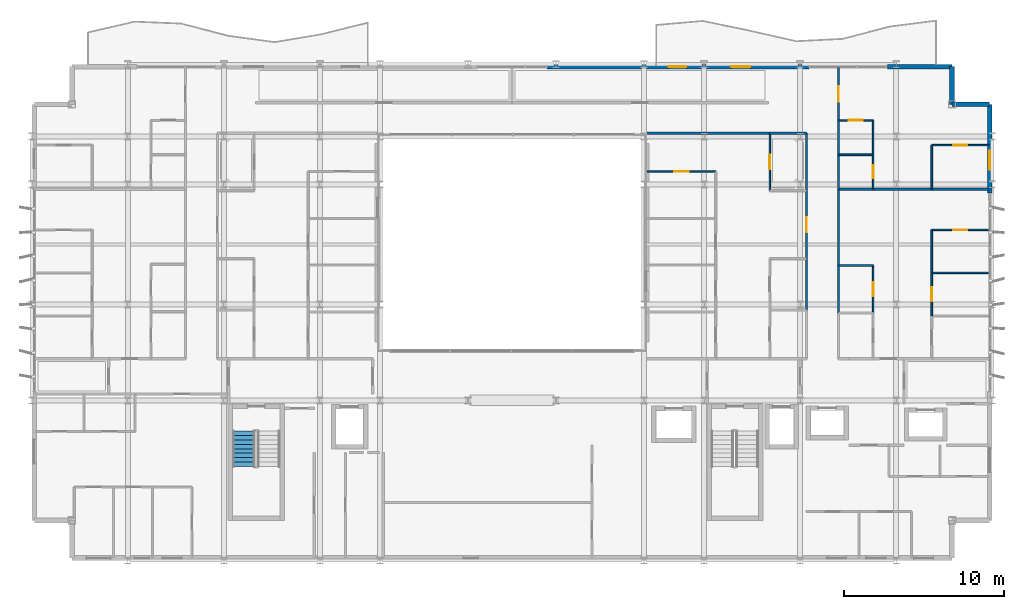
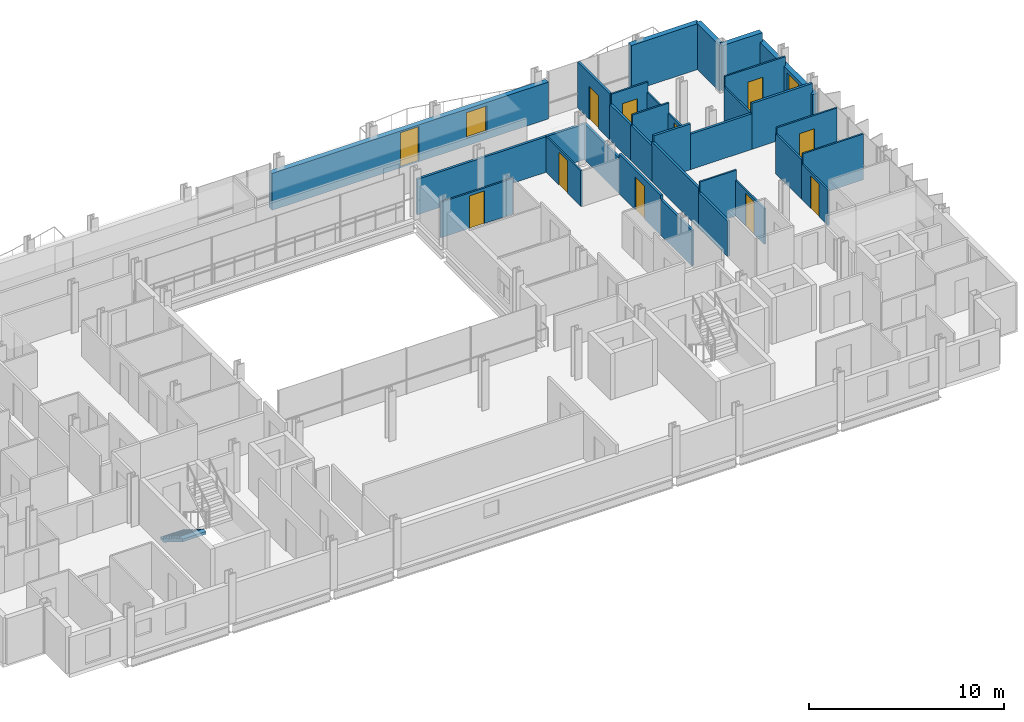
# One storey, part 32 of 38: 32 walls, 11 doors, 2 windows, 1 stair flight, 13 openings, 1 element without a shape of its own.
"""IFC4 building model written with IfcOpenShell, lengths in metres."""

from ifc_helpers import new_model, si_unit, direction, frame, frame_2d, origin, place, context, subcontext, project, spatial, polyline, rectangle, outline, extrude, material, layer, layer_set, type_object, element, fill, aggregate, save


model = new_model("IFC4")

# Units and contexts
model_context = context("Model", 3, precision=1e-05, world=origin(), true_north=direction((0.0, 1.0)))
body_context = subcontext(model_context, "Body", "Model", "MODEL_VIEW")
ifc_project = project(units=[si_unit("LENGTHUNIT", "METRE"), si_unit("AREAUNIT", "SQUARE_METRE"), si_unit("VOLUMEUNIT", "CUBIC_METRE"), si_unit("PLANEANGLEUNIT", "RADIAN"), si_unit("MASSUNIT", "GRAM", prefix="KILO")], contexts=[model_context])

# Site, building, storey
site_placement = place(None, origin())
site = spatial("IfcSite", under=ifc_project, at=site_placement, CompositionType="ELEMENT")
building_placement = place(site_placement, origin())
building = spatial("IfcBuilding", under=site, at=building_placement, Name="Brevholm Reach", CompositionType="ELEMENT")
storey_placement = place(building_placement, frame((0.0, 0.0, 71.39990234375)))
storey = spatial("IfcBuildingStorey", under=building, at=storey_placement, Name="L20", CompositionType="ELEMENT", Elevation=71.39990234375)

# Walls
ifc_material_1 = material(Name="Concrete C40/50", Category="concrete")
ifc_layer_1 = layer(ifc_material_1, 0.300048828125)
ifc_layer_set_1 = layer_set([ifc_layer_1], Name="Concrete C40/50")
wall_type_1 = type_object("IfcWallType", Name="WAL-EXT-300", PredefinedType="STANDARD", material=ifc_layer_set_1)
for number, where, z_axis, x_axis, name in (
    (1, (59.85009765625, 28.5, 0.0), (0.0, 0.0, 1.0), (-1.0, 0.0, 0.0), "L20 Facade Wall WAL-L20-CNE1"),
    (2, (57.5, 28.5, 0.0), (0.0, 0.0, 1.0), (0.0, 1.0, 0.0), "L20 Facade Wall WAL-L20-CNE2"),
):
    element("IfcWall", number, at=place(storey_placement, frame(where, z_axis=z_axis, x_axis=x_axis)), inside=storey, type_object=wall_type_1, Name=name, PredefinedType="STANDARD", context=body_context, shape_type="SweptSolid", body=[
        extrude(rectangle(XDim=2.35009765625, YDim=0.300048828125, at=frame_2d((1.175048828125, 0.0))), origin(), (0.0, 0.0, 1.0), 2.8701171875),
    ])

# Wall, opening, window
wall_1_placement = place(storey_placement, frame((59.85009765625, 22.949951171875, 0.0), z_axis=(0.0, 0.0, 1.0), x_axis=(0.0, 1.0, 0.0)))
wall_1 = element("IfcWall", 3, at=wall_1_placement, inside=storey, type_object=wall_type_1, Name="L20 Facade Wall WAL-L20-E-N", PredefinedType="STANDARD", context=body_context, shape_type="SweptSolid", body=[
    extrude(rectangle(XDim=5.550048828125, YDim=0.300048828125, at=frame_2d((2.77490234375, 0.0))), origin(), (0.0, 0.0, 1.0), 2.3056640625),
])
opening_1_placement = place(wall_1_placement, frame((1.449951171875, 0.0, 0.485107421875)))
opening_1 = element("IfcOpeningElement", 4, at=opening_1_placement, cuts=wall_1, Name="Opening WN-08", PredefinedType="OPENING", context=body_context, shape_type="SweptSolid", body=[
    extrude(rectangle(XDim=1.199951171875, YDim=1.60009765625, at=frame_2d((0.60009765625, 0.800048828125))), frame((0.0, 0.159912109375, 0.0), z_axis=(0.0, -1.0, 0.0), x_axis=(1.0, 0.0, 0.0)), (0.0, 0.0, 1.0), 0.320068359375),
])
ifc_material_2 = material(Name="Dark Anodised Aluminium and Solar-Control IGU Glass", Category="aluminium")
window_type = type_object("IfcWindowType", Name="WIN-RES-1200", PartitioningType="SINGLE_PANEL", PredefinedType="WINDOW", material=ifc_material_2)
window_1_placement = place(opening_1_placement, origin())
window_1 = element("IfcWindow", 5, at=window_1_placement, inside=storey, type_object=window_type, Name="L20 Window WIN-L20-EN-1", OverallHeight=1.60009765625, OverallWidth=1.199951171875, PartitioningType="SINGLE_PANEL", PredefinedType="WINDOW", context=body_context, shape_type="SweptSolid", body=[
    extrude(rectangle(XDim=1.199951171875, YDim=1.60009765625, at=frame_2d((0.60009765625, 0.800048828125))), frame((0.0, 0.030029296875, 0.0), z_axis=(0.0, -1.0, 0.0), x_axis=(1.0, 0.0, 0.0)), (0.0, 0.0, 1.0), 0.06005859375),
])
fill(opening_1, window_1)

# Wall
wall_2_placement = place(storey_placement, frame((53.449951171875, 30.85009765625, 0.0), z_axis=(0.0, 0.0, 1.0), x_axis=(1.0, 0.0, 0.0)))
element("IfcWall", 6, at=wall_2_placement, inside=storey, type_object=wall_type_1, Name="L20 Facade Wall WAL-L20-NP-E0", PredefinedType="STANDARD", context=body_context, shape_type="SweptSolid", body=[
    extrude(rectangle(XDim=4.050048828125, YDim=0.300048828125, at=frame_2d((2.02490234375, 0.0))), origin(), (0.0, 0.0, 1.0), 2.8701171875),
])

# Wall, openings, door, window
wall_3_placement = place(storey_placement, frame((32.199951171875, 30.85009765625, 0.0), z_axis=(0.0, 0.0, 1.0), x_axis=(1.0, 0.0, 0.0)))
wall_3 = element("IfcWall", 7, at=wall_3_placement, inside=storey, type_object=wall_type_1, Name="L20 Facade Wall WAL-L20-NP-ER", PredefinedType="STANDARD", context=body_context, shape_type="SweptSolid", body=[
    extrude(rectangle(XDim=16.35009765625, YDim=0.300048828125, at=frame_2d((8.175048828125, 0.0))), origin(), (0.0, 0.0, 1.0), 2.3056640625),
])
opening_2_placement = place(wall_3_placement, frame((7.60009765625, 0.0, 0.0)))
opening_2 = element("IfcOpeningElement", 8, at=opening_2_placement, cuts=wall_3, Name="Opening BD-01", PredefinedType="OPENING", context=body_context, shape_type="SweptSolid", body=[
    extrude(rectangle(XDim=1.10009765625, YDim=2.199951171875, at=frame_2d((0.550048828125, 1.10009765625))), frame((0.0, 0.159912109375, 0.0), z_axis=(0.0, -1.0, 0.0), x_axis=(1.0, 0.0, 0.0)), (0.0, 0.0, 1.0), 0.320068359375),
])
opening_3_placement = place(wall_3_placement, frame((11.5, 0.0, 0.485107421875)))
opening_3 = element("IfcOpeningElement", 9, at=opening_3_placement, cuts=wall_3, Name="Opening WN-08", PredefinedType="OPENING", context=body_context, shape_type="SweptSolid", body=[
    extrude(rectangle(XDim=1.199951171875, YDim=1.60009765625, at=frame_2d((0.60009765625, 0.800048828125))), frame((0.0, 0.159912109375, 0.0), z_axis=(0.0, -1.0, 0.0), x_axis=(1.0, 0.0, 0.0)), (0.0, 0.0, 1.0), 0.320068359375),
])
ifc_material_3 = material(Name="Dark Anodised Aluminium and Triple-Glazed Glass", Category="aluminium")
door_type_1 = type_object("IfcDoorType", Name="DOR-BALC-1100", OperationType="NOTDEFINED", PredefinedType="DOOR", material=ifc_material_3)
door_1_placement = place(opening_2_placement, origin())
door_1 = element("IfcDoor", 10, at=door_1_placement, inside=storey, type_object=door_type_1, Name="L20 Exterior Door DOR-L20-BL-NE", OperationType="SINGLE_SWING_RIGHT", OverallHeight=2.199951171875, OverallWidth=1.10009765625, PredefinedType="DOOR", context=body_context, shape_type="SweptSolid", body=[
    extrude(rectangle(XDim=1.10009765625, YDim=2.199951171875, at=frame_2d((0.550048828125, 1.10009765625))), frame((0.0, 0.02490234375, 0.0), z_axis=(0.0, -1.0, 0.0), x_axis=(1.0, 0.0, 0.0)), (0.0, 0.0, 1.0), 0.050048828125),
])
fill(opening_2, door_1)
window_2_placement = place(opening_3_placement, origin())
window_2 = element("IfcWindow", 11, at=window_2_placement, inside=storey, type_object=window_type, Name="L20 Window WIN-L20-NP-ER1", OverallHeight=1.60009765625, OverallWidth=1.199951171875, PartitioningType="SINGLE_PANEL", PredefinedType="WINDOW", context=body_context, shape_type="SweptSolid", body=[
    extrude(rectangle(XDim=1.199951171875, YDim=1.60009765625, at=frame_2d((0.60009765625, 0.800048828125))), frame((0.0, 0.030029296875, 0.0), z_axis=(0.0, -1.0, 0.0), x_axis=(1.0, 0.0, 0.0)), (0.0, 0.0, 1.0), 0.06005859375),
])
fill(opening_3, window_2)

# Wall, opening, door
ifc_material_4 = material(Name="Moisture-Resistant Acoustic Gypsum Stud Partition 100 mm", Category="gypsum")
ifc_layer_2 = layer(ifc_material_4, 0.10009765625)
ifc_layer_set_2 = layer_set([ifc_layer_2], Name="Moisture-Resistant Acoustic Gypsum Stud Partition 100 mm")
wall_type_2 = type_object("IfcWallType", Name="WAL-PRT-100", PredefinedType="PARTITIONING", material=ifc_layer_set_2)
wall_4_placement = place(storey_placement, frame((46.112060546875, 23.10009765625, 0.0), z_axis=(0.0, 0.0, 1.0), x_axis=(0.0, 1.0, 0.0)))
wall_4 = element("IfcWall", 12, at=wall_4_placement, inside=storey, type_object=wall_type_2, Name="L20 Internal Partition 125", PredefinedType="PARTITIONING", context=body_context, shape_type="SweptSolid", body=[
    extrude(rectangle(XDim=3.595947265625, YDim=0.10009765625, at=frame_2d((1.7978515625, 0.0))), origin(), (0.0, 0.0, 1.0), 2.224853515625),
])
opening_4_placement = place(wall_4_placement, frame((1.35791015625, 0.0, 0.0)))
opening_4 = element("IfcOpeningElement", 13, at=opening_4_placement, cuts=wall_4, Name="Opening ID-01", PredefinedType="OPENING", context=body_context, shape_type="SweptSolid", body=[
    extrude(rectangle(XDim=0.8798828125, YDim=2.0400390625, at=frame_2d((0.43994140625, 1.02001953125))), frame((0.0, 0.06005859375, 0.0), z_axis=(0.0, -1.0, 0.0), x_axis=(1.0, 0.0, 0.0)), (0.0, 0.0, 1.0), 0.1201171875),
])
ifc_material_5 = material(Name="Lacquered Ash Solid-Core Acoustic Internal Door", Category="timber")
door_type_2 = type_object("IfcDoorType", Name="DOR-INT-880", OperationType="NOTDEFINED", PredefinedType="DOOR", material=ifc_material_5)
door_2_placement = place(opening_4_placement, origin())
door_2 = element("IfcDoor", 14, at=door_2_placement, inside=storey, type_object=door_type_2, Name="L20 Internal Door 047", OperationType="SINGLE_SWING_RIGHT", OverallHeight=2.0400390625, OverallWidth=0.8798828125, PredefinedType="DOOR", context=body_context, shape_type="SweptSolid", body=[
    extrude(rectangle(XDim=0.8798828125, YDim=2.0400390625, at=frame_2d((0.43994140625, 1.02001953125))), frame((0.0, 0.02490234375, 0.0), z_axis=(0.0, -1.0, 0.0), x_axis=(1.0, 0.0, 0.0)), (0.0, 0.0, 1.0), 0.050048828125),
])
fill(opening_4, door_2)

wall_5_placement = place(storey_placement, frame((38.449951171875, 24.300048828125, 0.0), z_axis=(0.0, 0.0, 1.0), x_axis=(1.0, 0.0, 0.0)))
wall_5 = element("IfcWall", 15, at=wall_5_placement, inside=storey, type_object=wall_type_2, Name="L20 Internal Partition 133", PredefinedType="PARTITIONING", context=body_context, shape_type="SweptSolid", body=[
    extrude(rectangle(XDim=4.278076171875, YDim=0.10009765625, at=frame_2d((2.13916015625, 0.0))), origin(), (0.0, 0.0, 1.0), 2.224853515625),
])
opening_5_placement = place(wall_5_placement, frame((1.698974609375, 0.0, 0.0)))
opening_5 = element("IfcOpeningElement", 16, at=opening_5_placement, cuts=wall_5, Name="Opening ID-01", PredefinedType="OPENING", context=body_context, shape_type="SweptSolid", body=[
    extrude(rectangle(XDim=0.8798828125, YDim=2.0400390625, at=frame_2d((0.43994140625, 1.02001953125))), frame((0.0, 0.06005859375, 0.0), z_axis=(0.0, -1.0, 0.0), x_axis=(1.0, 0.0, 0.0)), (0.0, 0.0, 1.0), 0.1201171875),
])
door_3_placement = place(opening_5_placement, origin())
door_3 = element("IfcDoor", 17, at=door_3_placement, inside=storey, type_object=door_type_2, Name="L20 Internal Door 051", OperationType="SINGLE_SWING_RIGHT", OverallHeight=2.0400390625, OverallWidth=0.8798828125, PredefinedType="DOOR", context=body_context, shape_type="SweptSolid", body=[
    extrude(rectangle(XDim=0.8798828125, YDim=2.0400390625, at=frame_2d((0.43994140625, 1.02001953125))), frame((0.0, 0.02490234375, 0.0), z_axis=(0.0, -1.0, 0.0), x_axis=(1.0, 0.0, 0.0)), (0.0, 0.0, 1.0), 0.050048828125),
])
fill(opening_5, door_3)

wall_6_placement = place(storey_placement, frame((52.56201171875, 15.466064453125, 0.0), z_axis=(0.0, 0.0, 1.0), x_axis=(0.0, 1.0, 0.0)))
wall_6 = element("IfcWall", 18, at=wall_6_placement, inside=storey, type_object=wall_type_2, Name="L20 Internal Partition 136", PredefinedType="PARTITIONING", context=body_context, shape_type="SweptSolid", body=[
    extrude(rectangle(XDim=2.9638671875, YDim=0.10009765625, at=frame_2d((1.48193359375, 0.0))), origin(), (0.0, 0.0, 1.0), 2.224853515625),
])
opening_6_placement = place(wall_6_placement, frame((1.0419921875, 0.0, 0.0)))
opening_6 = element("IfcOpeningElement", 19, at=opening_6_placement, cuts=wall_6, Name="Opening ID-01", PredefinedType="OPENING", context=body_context, shape_type="SweptSolid", body=[
    extrude(rectangle(XDim=0.8798828125, YDim=2.0400390625, at=frame_2d((0.43994140625, 1.02001953125))), frame((0.0, 0.06005859375, 0.0), z_axis=(0.0, -1.0, 0.0), x_axis=(1.0, 0.0, 0.0)), (0.0, 0.0, 1.0), 0.1201171875),
])
door_4_placement = place(opening_6_placement, origin())
door_4 = element("IfcDoor", 20, at=door_4_placement, inside=storey, type_object=door_type_2, Name="L20 Internal Door 053", OperationType="SINGLE_SWING_RIGHT", OverallHeight=2.0400390625, OverallWidth=0.8798828125, PredefinedType="DOOR", context=body_context, shape_type="SweptSolid", body=[
    extrude(rectangle(XDim=0.8798828125, YDim=2.0400390625, at=frame_2d((0.43994140625, 1.02001953125))), frame((0.0, 0.02490234375, 0.0), z_axis=(0.0, -1.0, 0.0), x_axis=(1.0, 0.0, 0.0)), (0.0, 0.0, 1.0), 0.050048828125),
])
fill(opening_6, door_4)

# Walls
wall_7_placement = place(storey_placement, frame((50.404052734375, 18.429931640625, 0.0), z_axis=(0.0, 0.0, 1.0), x_axis=(1.0, 0.0, 0.0)))
element("IfcWall", 21, at=wall_7_placement, inside=storey, type_object=wall_type_2, Name="L20 Internal Partition 137", PredefinedType="PARTITIONING", context=body_context, shape_type="SweptSolid", body=[
    extrude(rectangle(XDim=2.157958984375, YDim=0.10009765625, at=frame_2d((1.0791015625, 0.0))), origin(), (0.0, 0.0, 1.0), 2.8701171875),
])
wall_8_placement = place(storey_placement, frame((56.22802734375, 17.969970703125, 0.0), z_axis=(0.0, 0.0, 1.0), x_axis=(1.0, 0.0, 0.0)))
element("IfcWall", 22, at=wall_8_placement, inside=storey, type_object=wall_type_2, Name="L20 Internal Partition 140", PredefinedType="PARTITIONING", context=body_context, shape_type="SweptSolid", body=[
    extrude(rectangle(XDim=3.572021484375, YDim=0.10009765625, at=frame_2d((1.7861328125, 0.0))), origin(), (0.0, 0.0, 1.0), 2.8701171875),
])

# Wall, opening, door
wall_9_placement = place(storey_placement, frame((56.22802734375, 15.2890625, 0.0), z_axis=(0.0, 0.0, 1.0), x_axis=(0.0, 1.0, 0.0)))
wall_9 = element("IfcWall", 23, at=wall_9_placement, inside=storey, type_object=wall_type_2, Name="L20 Internal Partition 141", PredefinedType="PARTITIONING", context=body_context, shape_type="SweptSolid", body=[
    extrude(rectangle(XDim=2.680908203125, YDim=0.10009765625, at=frame_2d((1.34033203125, 0.0))), origin(), (0.0, 0.0, 1.0), 2.224853515625),
])
opening_7_placement = place(wall_9_placement, frame((0.900390625, 0.0, 0.0)))
opening_7 = element("IfcOpeningElement", 24, at=opening_7_placement, cuts=wall_9, Name="Opening ID-01", PredefinedType="OPENING", context=body_context, shape_type="SweptSolid", body=[
    extrude(rectangle(XDim=0.8798828125, YDim=2.0400390625, at=frame_2d((0.43994140625, 1.02001953125))), frame((0.0, 0.06005859375, 0.0), z_axis=(0.0, -1.0, 0.0), x_axis=(1.0, 0.0, 0.0)), (0.0, 0.0, 1.0), 0.1201171875),
])
door_5_placement = place(opening_7_placement, origin())
door_5 = element("IfcDoor", 25, at=door_5_placement, inside=storey, type_object=door_type_2, Name="L20 Internal Door 055", OperationType="SINGLE_SWING_RIGHT", OverallHeight=2.0400390625, OverallWidth=0.8798828125, PredefinedType="DOOR", context=body_context, shape_type="SweptSolid", body=[
    extrude(rectangle(XDim=0.8798828125, YDim=2.0400390625, at=frame_2d((0.43994140625, 1.02001953125))), frame((0.0, 0.02490234375, 0.0), z_axis=(0.0, -1.0, 0.0), x_axis=(1.0, 0.0, 0.0)), (0.0, 0.0, 1.0), 0.050048828125),
])
fill(opening_7, door_5)

wall_10_placement = place(storey_placement, frame((56.22802734375, 20.655029296875, 0.0), z_axis=(0.0, 0.0, 1.0), x_axis=(1.0, 0.0, 0.0)))
wall_10 = element("IfcWall", 26, at=wall_10_placement, inside=storey, type_object=wall_type_2, Name="L20 Internal Partition 142", PredefinedType="PARTITIONING", context=body_context, shape_type="SweptSolid", body=[
    extrude(rectangle(XDim=3.572021484375, YDim=0.10009765625, at=frame_2d((1.7861328125, 0.0))), origin(), (0.0, 0.0, 1.0), 2.8701171875),
])
opening_8_placement = place(wall_10_placement, frame((1.345947265625, 0.0, 0.0)))
opening_8 = element("IfcOpeningElement", 27, at=opening_8_placement, cuts=wall_10, Name="Opening ID-01", PredefinedType="OPENING", context=body_context, shape_type="SweptSolid", body=[
    extrude(rectangle(XDim=0.8798828125, YDim=2.0400390625, at=frame_2d((0.43994140625, 1.02001953125))), frame((0.0, 0.06005859375, 0.0), z_axis=(0.0, -1.0, 0.0), x_axis=(1.0, 0.0, 0.0)), (0.0, 0.0, 1.0), 0.1201171875),
])
door_6_placement = place(opening_8_placement, origin())
door_6 = element("IfcDoor", 28, at=door_6_placement, inside=storey, type_object=door_type_2, Name="L20 Internal Door 056", OperationType="SINGLE_SWING_LEFT", OverallHeight=2.0400390625, OverallWidth=0.8798828125, PredefinedType="DOOR", context=body_context, shape_type="SweptSolid", body=[
    extrude(rectangle(XDim=0.8798828125, YDim=2.0400390625, at=frame_2d((0.43994140625, 1.02001953125))), frame((0.0, 0.02490234375, 0.0), z_axis=(0.0, -1.0, 0.0), x_axis=(1.0, 0.0, 0.0)), (0.0, 0.0, 1.0), 0.050048828125),
])
fill(opening_8, door_6)

# Walls
wall_11_placement = place(storey_placement, frame((56.22802734375, 17.97412109375, 0.0), z_axis=(0.0, 0.0, 1.0), x_axis=(0.0, 1.0, 0.0)))
element("IfcWall", 29, at=wall_11_placement, inside=storey, type_object=wall_type_2, Name="L20 Internal Partition 143", PredefinedType="PARTITIONING", context=body_context, shape_type="SweptSolid", body=[
    extrude(rectangle(XDim=2.680908203125, YDim=0.10009765625, at=frame_2d((1.34033203125, 0.0))), origin(), (0.0, 0.0, 1.0), 2.489990234375),
])
wall_12_placement = place(storey_placement, frame((50.404052734375, 25.35009765625, 0.0), z_axis=(0.0, 0.0, 1.0), x_axis=(1.0, 0.0, 0.0)))
element("IfcWall", 30, at=wall_12_placement, inside=storey, type_object=wall_type_2, Name="L20 Internal Partition 147", PredefinedType="PARTITIONING", context=body_context, shape_type="SweptSolid", body=[
    extrude(rectangle(XDim=2.157958984375, YDim=0.10009765625, at=frame_2d((1.0791015625, 0.0))), origin(), (0.0, 0.0, 1.0), 2.8701171875),
])

# Wall, opening, door
wall_13_placement = place(storey_placement, frame((52.56201171875, 23.2041015625, 0.0), z_axis=(0.0, 0.0, 1.0), x_axis=(0.0, 1.0, 0.0)))
wall_13 = element("IfcWall", 31, at=wall_13_placement, inside=storey, type_object=wall_type_2, Name="L20 Internal Partition 148", PredefinedType="PARTITIONING", context=body_context, shape_type="SweptSolid", body=[
    extrude(rectangle(XDim=2.14599609375, YDim=0.10009765625, at=frame_2d((1.072998046875, 0.0))), origin(), (0.0, 0.0, 1.0), 2.224853515625),
])
opening_9_placement = place(wall_13_placement, frame((0.6630859375, 0.0, 0.0)))
opening_9 = element("IfcOpeningElement", 32, at=opening_9_placement, cuts=wall_13, Name="Opening ID-03", PredefinedType="OPENING", context=body_context, shape_type="SweptSolid", body=[
    extrude(rectangle(XDim=0.820068359375, YDim=2.02001953125, at=frame_2d((0.41015625, 1.010009765625))), frame((0.0, 0.06005859375, 0.0), z_axis=(0.0, -1.0, 0.0), x_axis=(1.0, 0.0, 0.0)), (0.0, 0.0, 1.0), 0.1201171875),
])
ifc_material_6 = material(Name="Moisture-Resistant Painted Timber Internal Bathroom Door", Category="wood")
door_type_3 = type_object("IfcDoorType", Name="DOR-BATH-820", OperationType="NOTDEFINED", PredefinedType="DOOR", material=ifc_material_6)
door_7_placement = place(opening_9_placement, origin())
door_7 = element("IfcDoor", 33, at=door_7_placement, inside=storey, type_object=door_type_3, Name="L20 Internal Door 057", OperationType="SINGLE_SWING_RIGHT", OverallHeight=2.02001953125, OverallWidth=0.820068359375, PredefinedType="DOOR", context=body_context, shape_type="SweptSolid", body=[
    extrude(rectangle(XDim=0.820068359375, YDim=2.02001953125, at=frame_2d((0.41015625, 1.010009765625))), frame((0.0, 0.02490234375, 0.0), z_axis=(0.0, -1.0, 0.0), x_axis=(1.0, 0.0, 0.0)), (0.0, 0.0, 1.0), 0.050048828125),
])
fill(opening_9, door_7)

# Wall
wall_14_placement = place(storey_placement, frame((52.56201171875, 25.35400390625, 0.0), z_axis=(0.0, 0.0, 1.0), x_axis=(0.0, 1.0, 0.0)))
element("IfcWall", 34, at=wall_14_placement, inside=storey, type_object=wall_type_2, Name="L20 Internal Partition 149", PredefinedType="PARTITIONING", context=body_context, shape_type="SweptSolid", body=[
    extrude(rectangle(XDim=2.14599609375, YDim=0.10009765625, at=frame_2d((1.072998046875, 0.0))), origin(), (0.0, 0.0, 1.0), 2.224853515625),
])

# Wall, opening, door
wall_15_placement = place(storey_placement, frame((50.404052734375, 27.5, 0.0), z_axis=(0.0, 0.0, 1.0), x_axis=(1.0, 0.0, 0.0)))
wall_15 = element("IfcWall", 35, at=wall_15_placement, inside=storey, type_object=wall_type_2, Name="L20 Internal Partition 150", PredefinedType="PARTITIONING", context=body_context, shape_type="SweptSolid", body=[
    extrude(rectangle(XDim=2.157958984375, YDim=0.10009765625, at=frame_2d((1.0791015625, 0.0))), origin(), (0.0, 0.0, 1.0), 2.8701171875),
])
opening_10_placement = place(wall_15_placement, frame((0.638916015625, 0.0, 0.0)))
opening_10 = element("IfcOpeningElement", 36, at=opening_10_placement, cuts=wall_15, Name="Opening ID-01", PredefinedType="OPENING", context=body_context, shape_type="SweptSolid", body=[
    extrude(rectangle(XDim=0.8798828125, YDim=2.0400390625, at=frame_2d((0.43994140625, 1.02001953125))), frame((0.0, 0.06005859375, 0.0), z_axis=(0.0, -1.0, 0.0), x_axis=(1.0, 0.0, 0.0)), (0.0, 0.0, 1.0), 0.1201171875),
])
door_8_placement = place(opening_10_placement, origin())
door_8 = element("IfcDoor", 37, at=door_8_placement, inside=storey, type_object=door_type_2, Name="L20 Internal Door 058", OperationType="SINGLE_SWING_LEFT", OverallHeight=2.0400390625, OverallWidth=0.8798828125, PredefinedType="DOOR", context=body_context, shape_type="SweptSolid", body=[
    extrude(rectangle(XDim=0.8798828125, YDim=2.0400390625, at=frame_2d((0.43994140625, 1.02001953125))), frame((0.0, 0.02490234375, 0.0), z_axis=(0.0, -1.0, 0.0), x_axis=(1.0, 0.0, 0.0)), (0.0, 0.0, 1.0), 0.050048828125),
])
fill(opening_10, door_8)

wall_16_placement = place(storey_placement, frame((56.22802734375, 25.949951171875, 0.0), z_axis=(0.0, 0.0, 1.0), x_axis=(1.0, 0.0, 0.0)))
wall_16 = element("IfcWall", 38, at=wall_16_placement, inside=storey, type_object=wall_type_2, Name="L20 Internal Partition 151", PredefinedType="PARTITIONING", context=body_context, shape_type="SweptSolid", body=[
    extrude(rectangle(XDim=3.572021484375, YDim=0.10009765625, at=frame_2d((1.7861328125, 0.0))), origin(), (0.0, 0.0, 1.0), 2.8701171875),
])
opening_11_placement = place(wall_16_placement, frame((1.345947265625, 0.0, 0.0)))
opening_11 = element("IfcOpeningElement", 39, at=opening_11_placement, cuts=wall_16, Name="Opening ID-01", PredefinedType="OPENING", context=body_context, shape_type="SweptSolid", body=[
    extrude(rectangle(XDim=0.8798828125, YDim=2.0400390625, at=frame_2d((0.43994140625, 1.02001953125))), frame((0.0, 0.06005859375, 0.0), z_axis=(0.0, -1.0, 0.0), x_axis=(1.0, 0.0, 0.0)), (0.0, 0.0, 1.0), 0.1201171875),
])
door_9_placement = place(opening_11_placement, origin())
door_9 = element("IfcDoor", 40, at=door_9_placement, inside=storey, type_object=door_type_2, Name="L20 Internal Door 059", OperationType="SINGLE_SWING_RIGHT", OverallHeight=2.0400390625, OverallWidth=0.8798828125, PredefinedType="DOOR", context=body_context, shape_type="SweptSolid", body=[
    extrude(rectangle(XDim=0.8798828125, YDim=2.0400390625, at=frame_2d((0.43994140625, 1.02001953125))), frame((0.0, 0.02490234375, 0.0), z_axis=(0.0, -1.0, 0.0), x_axis=(1.0, 0.0, 0.0)), (0.0, 0.0, 1.0), 0.050048828125),
])
fill(opening_11, door_9)

# Walls
wall_17_placement = place(storey_placement, frame((56.22802734375, 23.2041015625, 0.0), z_axis=(0.0, 0.0, 1.0), x_axis=(0.0, 1.0, 0.0)))
element("IfcWall", 41, at=wall_17_placement, inside=storey, type_object=wall_type_2, Name="L20 Internal Partition 152", PredefinedType="PARTITIONING", context=body_context, shape_type="SweptSolid", body=[
    extrude(rectangle(XDim=2.745849609375, YDim=0.10009765625, at=frame_2d((1.373046875, 0.0))), origin(), (0.0, 0.0, 1.0), 2.224853515625),
])
ifc_material_7 = material(Name="Twin-Stud Acoustic Fire-Rated Gypsum Partition 140 mm", Category="gypsum")
ifc_layer_3 = layer(ifc_material_7, 0.139892578125)
ifc_layer_set_3 = layer_set([ifc_layer_3], Name="Twin-Stud Acoustic Fire-Rated Gypsum Partition 140 mm")
wall_type_3 = type_object("IfcWallType", Name="WAL-PRT-140", PredefinedType="PARTITIONING", material=ifc_layer_set_3)
wall_18_placement = place(storey_placement, frame((48.39990234375, 15.642578125, 0.0), z_axis=(0.0, 0.0, 1.0), x_axis=(0.0, 1.0, 0.0)))
element("IfcWall", 42, at=wall_18_placement, inside=storey, type_object=wall_type_3, Name="L20 Internal Partition 045", PredefinedType="PARTITIONING", context=body_context, shape_type="SweptSolid", body=[
    extrude(rectangle(XDim=3.21875, YDim=0.139892578125, at=frame_2d((1.609375, 0.0))), origin(), (0.0, 0.0, 1.0), 2.224853515625),
])
wall_19_placement = place(storey_placement, frame((48.39990234375, 23.088623046875, 0.0), z_axis=(0.0, 0.0, 1.0), x_axis=(0.0, 1.0, 0.0)))
element("IfcWall", 43, at=wall_19_placement, inside=storey, type_object=wall_type_3, Name="L20 Internal Partition 046", PredefinedType="PARTITIONING", context=body_context, shape_type="SweptSolid", body=[
    extrude(rectangle(XDim=3.61865234375, YDim=0.139892578125, at=frame_2d((1.809326171875, 0.0))), origin(), (0.0, 0.0, 1.0), 2.224853515625),
])

# Wall, opening, door
wall_20_placement = place(storey_placement, frame((48.39990234375, 18.8427734375, 0.0), z_axis=(0.0, 0.0, 1.0), x_axis=(0.0, 1.0, 0.0)))
wall_20 = element("IfcWall", 44, at=wall_20_placement, inside=storey, type_object=wall_type_3, Name="L20 Internal Partition 047", PredefinedType="PARTITIONING", context=body_context, shape_type="SweptSolid", body=[
    extrude(rectangle(XDim=4.2646484375, YDim=0.139892578125, at=frame_2d((2.13232421875, 0.0))), origin(), (0.0, 0.0, 1.0), 2.489990234375),
])
opening_12_placement = place(wall_20_placement, frame((1.6572265625, 0.0, 0.0)))
opening_12 = element("IfcOpeningElement", 45, at=opening_12_placement, cuts=wall_20, Name="Opening ID-30", PredefinedType="OPENING", context=body_context, shape_type="SweptSolid", body=[
    extrude(rectangle(XDim=0.949951171875, YDim=2.050048828125, at=frame_2d((0.47509765625, 1.02490234375))), frame((0.0, 0.079833984375, 0.0), z_axis=(0.0, -1.0, 0.0), x_axis=(1.0, 0.0, 0.0)), (0.0, 0.0, 1.0), 0.159912109375),
])
ifc_material_8 = material(Name="European Oak Veneered Solid-Core Fire Entrance Door", Category="timber")
door_type_4 = type_object("IfcDoorType", Name="DOR-FLT-FD30S", OperationType="NOTDEFINED", PredefinedType="DOOR", material=ifc_material_8)
door_10_placement = place(opening_12_placement, origin())
door_10 = element("IfcDoor", 46, at=door_10_placement, inside=storey, type_object=door_type_4, Name="L20 Internal Door 017", OperationType="SINGLE_SWING_RIGHT", OverallHeight=2.050048828125, OverallWidth=0.949951171875, PredefinedType="DOOR", context=body_context, shape_type="SweptSolid", body=[
    extrude(rectangle(XDim=0.949951171875, YDim=2.050048828125, at=frame_2d((0.47509765625, 1.02490234375))), frame((0.0, 0.02490234375, 0.0), z_axis=(0.0, -1.0, 0.0), x_axis=(1.0, 0.0, 0.0)), (0.0, 0.0, 1.0), 0.050048828125),
])
fill(opening_12, door_10)

# Walls
wall_21_placement = place(storey_placement, frame((50.39990234375, 15.45458984375, 0.0), z_axis=(0.0, 0.0, 1.0), x_axis=(0.0, 1.0, 0.0)))
element("IfcWall", 47, at=wall_21_placement, inside=storey, type_object=wall_type_3, Name="L20 Internal Partition 049", PredefinedType="PARTITIONING", context=body_context, shape_type="SweptSolid", body=[
    extrude(rectangle(XDim=2.98681640625, YDim=0.139892578125, at=frame_2d((1.493408203125, 0.0))), origin(), (0.0, 0.0, 1.0), 2.224853515625),
])
wall_22_placement = place(storey_placement, frame((50.39990234375, 18.422607421875, 0.0), z_axis=(0.0, 0.0, 1.0), x_axis=(0.0, 1.0, 0.0)))
element("IfcWall", 48, at=wall_22_placement, inside=storey, type_object=wall_type_3, Name="L20 Internal Partition 050", PredefinedType="PARTITIONING", context=body_context, shape_type="SweptSolid", body=[
    extrude(rectangle(XDim=4.78857421875, YDim=0.139892578125, at=frame_2d((2.394287109375, 0.0))), origin(), (0.0, 0.0, 1.0), 2.489990234375),
])
wall_23_placement = place(storey_placement, frame((50.39990234375, 23.192626953125, 0.0), z_axis=(0.0, 0.0, 1.0), x_axis=(0.0, 1.0, 0.0)))
element("IfcWall", 49, at=wall_23_placement, inside=storey, type_object=wall_type_3, Name="L20 Internal Partition 051", PredefinedType="PARTITIONING", context=body_context, shape_type="SweptSolid", body=[
    extrude(rectangle(XDim=2.168701171875, YDim=0.139892578125, at=frame_2d((1.08447265625, 0.0))), origin(), (0.0, 0.0, 1.0), 2.224853515625),
])
wall_24_placement = place(storey_placement, frame((50.39990234375, 25.3427734375, 0.0), z_axis=(0.0, 0.0, 1.0), x_axis=(0.0, 1.0, 0.0)))
element("IfcWall", 50, at=wall_24_placement, inside=storey, type_object=wall_type_3, Name="L20 Internal Partition 052", PredefinedType="PARTITIONING", context=body_context, shape_type="SweptSolid", body=[
    extrude(rectangle(XDim=2.16845703125, YDim=0.139892578125, at=frame_2d((1.084228515625, 0.0))), origin(), (0.0, 0.0, 1.0), 2.224853515625),
])

# Wall, opening, door
wall_25_placement = place(storey_placement, frame((50.39990234375, 27.49267578125, 0.0), z_axis=(0.0, 0.0, 1.0), x_axis=(0.0, 1.0, 0.0)))
wall_25 = element("IfcWall", 51, at=wall_25_placement, inside=storey, type_object=wall_type_3, Name="L20 Internal Partition 053", PredefinedType="PARTITIONING", context=body_context, shape_type="SweptSolid", body=[
    extrude(rectangle(XDim=3.307373046875, YDim=0.139892578125, at=frame_2d((1.65380859375, 0.0))), origin(), (0.0, 0.0, 1.0), 2.8701171875),
])
opening_13_placement = place(wall_25_placement, frame((1.1787109375, 0.0, 0.0)))
opening_13 = element("IfcOpeningElement", 52, at=opening_13_placement, cuts=wall_25, Name="Opening ID-30", PredefinedType="OPENING", context=body_context, shape_type="SweptSolid", body=[
    extrude(rectangle(XDim=0.949951171875, YDim=2.050048828125, at=frame_2d((0.47509765625, 1.02490234375))), frame((0.0, 0.079833984375, 0.0), z_axis=(0.0, -1.0, 0.0), x_axis=(1.0, 0.0, 0.0)), (0.0, 0.0, 1.0), 0.159912109375),
])
door_11_placement = place(opening_13_placement, origin())
door_11 = element("IfcDoor", 53, at=door_11_placement, inside=storey, type_object=door_type_4, Name="L20 Internal Door 018", OperationType="SINGLE_SWING_LEFT", OverallHeight=2.050048828125, OverallWidth=0.949951171875, PredefinedType="DOOR", context=body_context, shape_type="SweptSolid", body=[
    extrude(rectangle(XDim=0.949951171875, YDim=2.050048828125, at=frame_2d((0.47509765625, 1.02490234375))), frame((0.0, 0.02490234375, 0.0), z_axis=(0.0, -1.0, 0.0), x_axis=(1.0, 0.0, 0.0)), (0.0, 0.0, 1.0), 0.050048828125),
])
fill(opening_13, door_11)

# Walls
wall_26_placement = place(storey_placement, frame((46.1005859375, 26.699951171875, 0.0), z_axis=(0.0, 0.0, 1.0), x_axis=(1.0, 0.0, 0.0)))
element("IfcWall", 54, at=wall_26_placement, inside=storey, type_object=wall_type_3, Name="L20 Internal Partition 056", PredefinedType="PARTITIONING", context=body_context, shape_type="SweptSolid", body=[
    extrude(rectangle(XDim=2.29541015625, YDim=0.139892578125, at=frame_2d((1.147705078125, 0.0))), origin(), (0.0, 0.0, 1.0), 2.224853515625),
])
wall_27_placement = place(storey_placement, frame((38.438720703125, 26.699951171875, 0.0), z_axis=(0.0, 0.0, 1.0), x_axis=(1.0, 0.0, 0.0)))
element("IfcWall", 55, at=wall_27_placement, inside=storey, type_object=wall_type_3, Name="L20 Internal Partition 057", PredefinedType="PARTITIONING", context=body_context, shape_type="SweptSolid", body=[
    extrude(rectangle(XDim=7.6806640625, YDim=0.139892578125, at=frame_2d((3.84033203125, 0.0))), origin(), (0.0, 0.0, 1.0), 2.224853515625),
])
wall_28_placement = place(storey_placement, frame((50.404052734375, 23.199951171875, 0.0), z_axis=(0.0, 0.0, 1.0), x_axis=(1.0, 0.0, 0.0)))
element("IfcWall", 56, at=wall_28_placement, inside=storey, type_object=wall_type_3, Name="L20 Internal Partition 144", PredefinedType="PARTITIONING", context=body_context, shape_type="SweptSolid", body=[
    extrude(rectangle(XDim=2.169189453125, YDim=0.139892578125, at=frame_2d((1.08447265625, 0.0))), origin(), (0.0, 0.0, 1.0), 2.8701171875),
])
wall_29_placement = place(storey_placement, frame((56.216796875, 23.199951171875, 0.0), z_axis=(0.0, 0.0, 1.0), x_axis=(1.0, 0.0, 0.0)))
element("IfcWall", 57, at=wall_29_placement, inside=storey, type_object=wall_type_3, Name="L20 Internal Partition 145", PredefinedType="PARTITIONING", context=body_context, shape_type="SweptSolid", body=[
    extrude(rectangle(XDim=3.583251953125, YDim=0.139892578125, at=frame_2d((1.79150390625, 0.0))), origin(), (0.0, 0.0, 1.0), 2.8701171875),
])
wall_30_placement = place(storey_placement, frame((52.5546875, 23.199951171875, 0.0), z_axis=(0.0, 0.0, 1.0), x_axis=(1.0, 0.0, 0.0)))
element("IfcWall", 58, at=wall_30_placement, inside=storey, type_object=wall_type_3, Name="L20 Internal Partition 146", PredefinedType="PARTITIONING", context=body_context, shape_type="SweptSolid", body=[
    extrude(rectangle(XDim=3.6806640625, YDim=0.139892578125, at=frame_2d((1.84033203125, 0.0))), origin(), (0.0, 0.0, 1.0), 2.224853515625),
])

# Stair, stair flight
ifc_material_9 = material(Name="Precast Concrete C40/50", Category="concrete")
stair_type = type_object("IfcStairType", Name="STR-ESC-1400", PredefinedType="DOUBLE_RETURN_STAIR", material=ifc_material_9)
stair_placement = place(storey_placement, origin())
stair = element("IfcStair", 59, at=stair_placement, inside=storey, type_object=stair_type, Name="L20 ST-1", PredefinedType="DOUBLE_RETURN_STAIR")
ifc_material_10 = material(Name="Precast Concrete C40/50", Category="concrete")
ifc_layer_4 = layer(ifc_material_10, 0.18505859375)
ifc_layer_set_4 = layer_set([ifc_layer_4], Name="Precast Concrete C40/50")
stair_flight_type = type_object("IfcStairFlightType", Name="STF-PRC-185", PredefinedType="STRAIGHT", material=ifc_layer_set_4)
stair_flight_placement = place(storey_placement, frame((13.25, 8.10009765625, 0.0), z_axis=(0.0, 0.0, 1.0), x_axis=(0.0, -1.0, 0.0)))
stair_flight = element("IfcStairFlight", 60, at=stair_flight_placement, type_object=stair_flight_type, Name="ST-1 flight 1", NumberOfRisers=9, NumberOfTreads=8, PredefinedType="STRAIGHT", RiserHeight=0.172222222, TreadLength=0.28, context=body_context, shape_type="SweptSolid", body=[
    extrude(outline(polyline([(0.0, 0.0), (0.0, 0.172119140625), (0.280029296875, 0.172119140625), (0.280029296875, 0.344482421875), (0.56005859375, 0.344482421875), (0.56005859375, 0.5166015625), (0.840087890625, 0.5166015625), (0.840087890625, 0.68896484375), (1.1201171875, 0.68896484375), (1.1201171875, 0.861083984375), (1.39990234375, 0.861083984375), (1.39990234375, 1.033447265625), (1.679931640625, 1.033447265625), (1.679931640625, 1.20556640625), (1.9599609375, 1.20556640625), (1.9599609375, 1.377685546875), (2.239990234375, 1.377685546875), (2.239990234375, 1.550048828125), (2.239990234375, 1.201904296875), (0.2861328125, 0.0), (0.0, 0.0)])), frame((0.0, 0.699951171875, 0.0), z_axis=(0.0, -1.0, 0.0), x_axis=(1.0, 0.0, 0.0)), (0.0, 0.0, 1.0), 1.39990234375),
])
aggregate(stair, [stair_flight])

save(model, "model.ifc")
